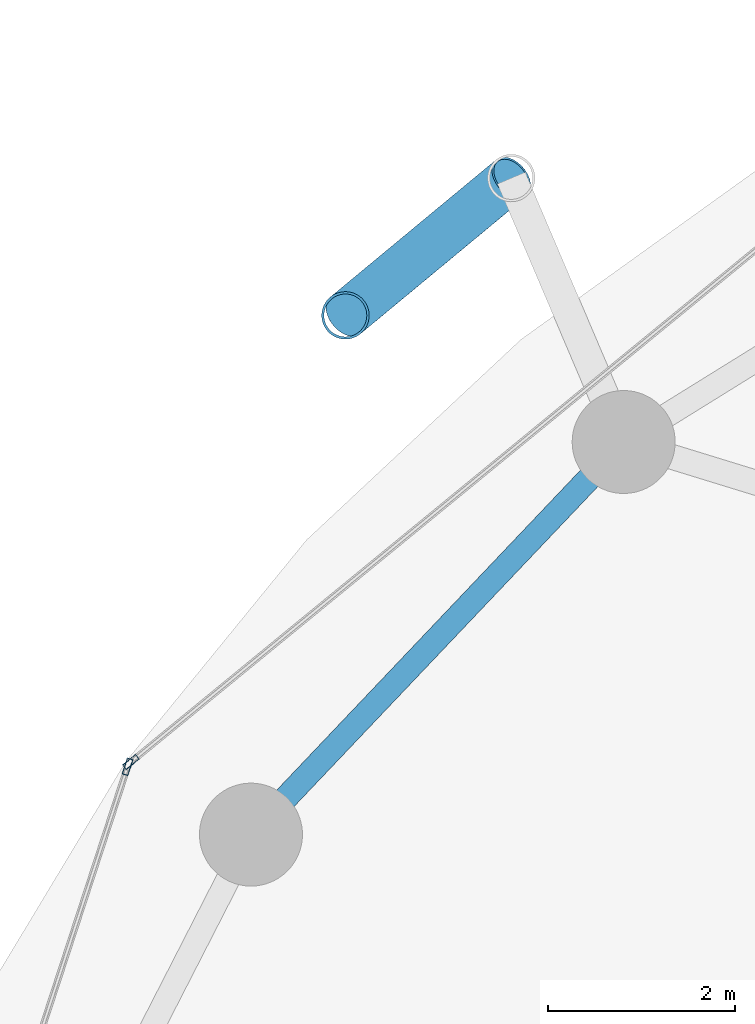
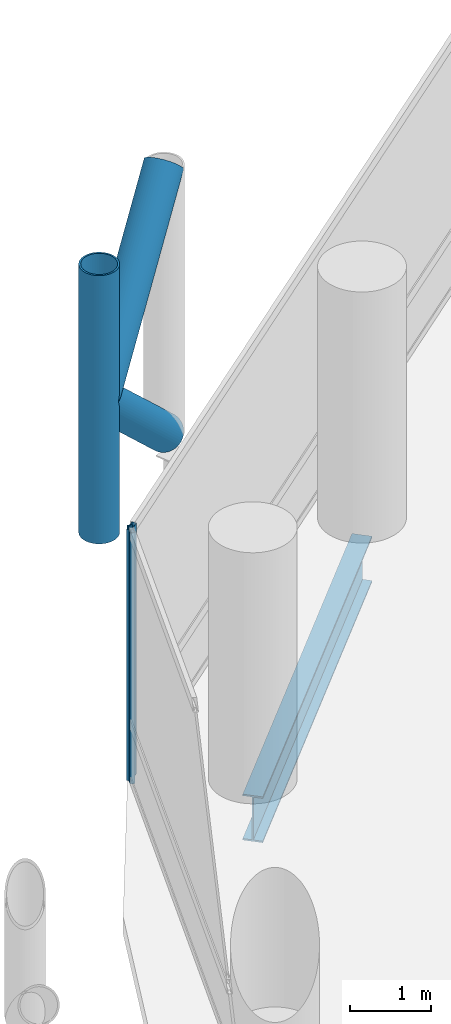
# One storey, part 13 of 24: 5 members, 1 beam, 2 elements without a shape of their own.
"""IFC4 building model written with IfcOpenShell, lengths in metres."""

import ifcopenshell
import ifcopenshell.guid

model = None  # the IFC model being written
_history = None  # IfcOwnerHistory: only IFC2X3 demands one
_inside = {}  # id of a spatial element -> (the spatial element, [elements in it])
_under = {}  # id of a project, library or spatial element -> (it, [spatial elements below it])
_declared = {}  # id of a project -> (the project, [libraries it declares])
_typed = {}  # id of a type object -> (the type object, [elements of that type])
_made_of = {}  # id of a material, layer set ... -> (it, [elements and type objects made of it])


def new_model(schema):
    """Start an empty IFC model of exactly this schema.

    Asked for "IFC4X3", IfcOpenShell would pick the latest addendum, in which some entities
    have other attributes; the version numbers below select the first issue.
    IFC2X3 requires an IfcOwnerHistory on every rooted entity: one is made here for all.
    """
    global model, _history
    if schema == "IFC4X3":
        model = ifcopenshell.file(schema_version=(4, 3, 0, 0))
    else:
        model = ifcopenshell.file(schema=schema)
    _inside.clear()
    _under.clear()
    _declared.clear()
    _typed.clear()
    _made_of.clear()
    _history = None
    if model.schema == "IFC2X3":
        org = make("IfcOrganization", Name="unknown")
        user = make(
            "IfcPersonAndOrganization",
            ThePerson=make("IfcPerson", FamilyName="unknown"),
            TheOrganization=org,
        )
        app = make(
            "IfcApplication",
            ApplicationDeveloper=org,
            Version="unknown",
            ApplicationFullName="unknown",
            ApplicationIdentifier="unknown",
        )
        _history = make(
            "IfcOwnerHistory",
            OwningUser=user,
            OwningApplication=app,
            ChangeAction="ADDED",
            CreationDate=0,
        )
    return model


def make(cls, **values):
    """One entity of the class cls with the attributes given. An attribute that is None is left unset."""
    return model.create_entity(
        cls, **{name: value for name, value in values.items() if value is not None}
    )


def rooted(cls, **values):
    """An entity with a GlobalId (a new one), such as an element, a storey or a relation."""
    return make(cls, GlobalId=ifcopenshell.guid.new(), OwnerHistory=_history, **values)


def si_unit(unit_type, name, prefix=None):
    """IfcSIUnit, for example si_unit("LENGTHUNIT", "METRE", prefix="MILLI")."""
    return make("IfcSIUnit", UnitType=unit_type, Prefix=prefix, Name=name)


def assignment(units):
    """IfcUnitAssignment: the units of a project."""
    return None if units is None else make("IfcUnitAssignment", Units=units)


def point(xyz):
    """IfcCartesianPoint."""
    return None if xyz is None else make("IfcCartesianPoint", Coordinates=xyz)


def direction(xyz):
    """IfcDirection."""
    return None if xyz is None else make("IfcDirection", DirectionRatios=xyz)


def frame(location, z_axis=None, x_axis=None):
    """IfcAxis2Placement3D, a coordinate frame: its origin and axes. An axis left out is left unset."""
    return make(
        "IfcAxis2Placement3D",
        Location=point(location),
        Axis=direction(z_axis),
        RefDirection=direction(x_axis),
    )


def frame_2d(location, x_axis=None):
    """IfcAxis2Placement2D, a coordinate frame in the plane: its origin and x axis."""
    return make(
        "IfcAxis2Placement2D", Location=point(location), RefDirection=direction(x_axis)
    )


def origin():
    """The frame at (0, 0, 0) with its axes left unset."""
    return frame((0.0, 0.0, 0.0))


def origin_2d():
    """The frame at (0, 0) in the plane with its x axis left unset."""
    return frame_2d((0.0, 0.0))


def place(relative_to, where):
    """IfcLocalPlacement: puts the frame where relative to a parent placement (None: the world)."""
    return make(
        "IfcLocalPlacement", PlacementRelTo=relative_to, RelativePlacement=where
    )


def context(
    kind, dimensions, precision=None, world=None, true_north=None, identifier=None
):
    """IfcGeometricRepresentationContext, for example the 3D "Model" context."""
    return make(
        "IfcGeometricRepresentationContext",
        ContextIdentifier=identifier,
        ContextType=kind,
        CoordinateSpaceDimension=dimensions,
        Precision=precision,
        WorldCoordinateSystem=world,
        TrueNorth=true_north,
    )


def subcontext(parent, identifier, kind, view, scale=None):
    """IfcGeometricRepresentationSubContext, for example "Body" below "Model"."""
    return make(
        "IfcGeometricRepresentationSubContext",
        ContextIdentifier=identifier,
        ContextType=kind,
        ParentContext=parent,
        TargetScale=scale,
        TargetView=view,
    )


def project(units=None, contexts=None):
    """IfcProject with its units and contexts."""
    return rooted(
        "IfcProject",
        Name="project",
        RepresentationContexts=contexts,
        UnitsInContext=assignment(units),
    )


def spatial(cls, under=None, at=None, **own):
    """A site, building, storey or space (cls), placed at a placement, below another one or the project."""
    s = rooted(cls, ObjectPlacement=at, **own)
    if under is not None:
        _under.setdefault(under.id(), (under, []))[1].append(s)
    return s


def profile(cls, at=None, kind="AREA", **sizes):
    """A parametric profile (cls). Its sizes go by their IFC names, for example OverallWidth=200.0."""
    return make(cls, ProfileType=kind, Position=at, **sizes)


def hollow_rectangle(**sizes):
    """IfcRectangleHollowProfileDef."""
    return profile("IfcRectangleHollowProfileDef", **sizes)


def hollow_circle(**sizes):
    """IfcCircleHollowProfileDef."""
    return profile("IfcCircleHollowProfileDef", **sizes)


def i_section(**sizes):
    """IfcIShapeProfileDef."""
    return profile("IfcIShapeProfileDef", **sizes)


def extrude(swept, where, along, depth):
    """IfcExtrudedAreaSolid: the profile swept, set in the frame where, extruded along a direction by depth."""
    return make(
        "IfcExtrudedAreaSolid",
        SweptArea=swept,
        Position=where,
        ExtrudedDirection=direction(along),
        Depth=depth,
    )


def shape(context_of_items, identifier, shape_type, items):
    """IfcShapeRepresentation: the items that make up one representation, for example the "Body"."""
    return make(
        "IfcShapeRepresentation",
        ContextOfItems=context_of_items,
        RepresentationIdentifier=identifier,
        RepresentationType=shape_type,
        Items=items,
    )


def material(Name=None, Category=None):
    """IfcMaterial."""
    return make("IfcMaterial", Name=Name, Category=Category)


def layer(
    of_material, thickness, ventilated=None, Name=None, Category=None, Priority=None
):
    """IfcMaterialLayer: one layer of a wall or slab, of a material (None: an air gap)."""
    return make(
        "IfcMaterialLayer",
        Material=of_material,
        LayerThickness=thickness,
        IsVentilated=ventilated,
        Name=Name,
        Category=Category,
        Priority=Priority,
    )


def layer_set(layers, Name=None):
    """IfcMaterialLayerSet."""
    return make("IfcMaterialLayerSet", MaterialLayers=layers, LayerSetName=Name)


def material_profile(
    of_material, cross_section, Name=None, Category=None, Priority=None
):
    """IfcMaterialProfile: a cross section and its material."""
    return make(
        "IfcMaterialProfile",
        Name=Name,
        Material=of_material,
        Profile=cross_section,
        Priority=Priority,
        Category=Category,
    )


def profile_set(profiles, Name=None, composite=None):
    """IfcMaterialProfileSet."""
    return make(
        "IfcMaterialProfileSet",
        Name=Name,
        MaterialProfiles=profiles,
        CompositeProfile=composite,
    )


def made_of(thing, what):
    """Note that an element or type object is made of a material, layer set ...; save() writes the relation."""
    if what is not None:
        _made_of.setdefault(what.id(), (what, []))[1].append(thing)
    return thing


def type_object(cls, material=None, **own):
    """A type object (cls), such as IfcWallType, which elements share."""
    return made_of(rooted(cls, **own), material)


def element(
    cls,
    number,
    at=None,
    inside=None,
    cuts=None,
    type_object=None,
    material=None,
    context=None,
    identifier="Body",
    shape_type=None,
    held_by="IfcProductDefinitionShape",
    body=None,
    shapes=None,
    **own,
):
    """One element of the class cls, such as IfcWall. Its Tag is "e" and its number.

    at: its placement. inside: the storey or other place that contains it. cuts: it is an
    opening in that element (IfcRelVoidsElement). A single representation is given by context,
    identifier, shape_type and body (its items); several are given by shapes. held_by: the class
    of the entity that holds the representations. save() writes the other relations.
    """
    e = rooted(cls, Tag="e%d" % number, ObjectPlacement=at, **own)
    if body is not None:
        shapes = [shape(context, identifier, shape_type, body)]
    if shapes is not None:
        e.Representation = make(held_by, Representations=shapes)
    if inside is not None:
        _inside.setdefault(inside.id(), (inside, []))[1].append(e)
    if cuts is not None:
        rooted(
            "IfcRelVoidsElement", RelatingBuildingElement=cuts, RelatedOpeningElement=e
        )
    if type_object is not None:
        _typed.setdefault(type_object.id(), (type_object, []))[1].append(e)
    return made_of(e, material)


def aggregate(whole, parts):
    """IfcRelAggregates: a whole, such as a stair, and the parts it consists of."""
    return rooted("IfcRelAggregates", RelatingObject=whole, RelatedObjects=parts)


def save(model, path):
    """Write the relations noted so far, then the file.

    IfcRelAggregates (storeys below a building ...), IfcRelContainedInSpatialStructure (elements
    in a storey), IfcRelDefinesByType, IfcRelAssociatesMaterial and IfcRelDeclares: one each for
    every whole, place, type object, material and project.
    """
    for whole, parts in _under.values():
        aggregate(whole, parts)
    for where, things in _inside.values():
        rooted(
            "IfcRelContainedInSpatialStructure",
            RelatedElements=things,
            RelatingStructure=where,
        )
    for kind, things in _typed.values():
        rooted("IfcRelDefinesByType", RelatedObjects=things, RelatingType=kind)
    for what, things in _made_of.values():
        rooted("IfcRelAssociatesMaterial", RelatedObjects=things, RelatingMaterial=what)
    for by, libraries in _declared.values():
        rooted("IfcRelDeclares", RelatingContext=by, RelatedDefinitions=libraries)
    model.write(path)


model = new_model("IFC4")

# Units and contexts
model_context = context("Model", 3, precision=1e-05, world=origin(), true_north=direction((0.0, 1.0)))
body_context = subcontext(model_context, "Body", "Model", "MODEL_VIEW")
ifc_project = project(units=[si_unit("LENGTHUNIT", "METRE"), si_unit("AREAUNIT", "SQUARE_METRE"), si_unit("VOLUMEUNIT", "CUBIC_METRE"), si_unit("PLANEANGLEUNIT", "RADIAN"), si_unit("MASSUNIT", "GRAM", prefix="KILO")], contexts=[model_context])

# Site, building, storey
site_placement = place(None, origin())
site = spatial("IfcSite", under=ifc_project, at=site_placement, CompositionType="ELEMENT")
building_placement = place(site_placement, origin())
building = spatial("IfcBuilding", under=site, at=building_placement, Name="Nuhasar Tower", CompositionType="ELEMENT")
storey_placement = place(building_placement, frame((0.0, 0.0, 37.199951171875)))
storey = spatial("IfcBuildingStorey", under=building, at=storey_placement, Name="L08", CompositionType="ELEMENT", Elevation=37.199951171875)

# Beam
ifc_material_1 = material(Name="Steel S355", Category="steel")
ifc_material_profile_1 = material_profile(ifc_material_1, i_section(OverallWidth=0.256103515625, OverallDepth=0.693115234375, WebThickness=0.014404296875, FlangeThickness=0.023681640625, at=origin_2d()), Name="W27X114")
ifc_profile_set_1 = profile_set([ifc_material_profile_1], Name="Steel S355")
beam_type = type_object("IfcBeamType", Name="BM-RING-W27X114", PredefinedType="SPANDREL", material=ifc_profile_set_1)
beam_placement = place(storey_placement, frame((21.287109375, 41.118896484375, -0.60693359375), z_axis=(-0.688480893507, -0.725254478976, 0.0), x_axis=(0.725254478976, -0.688480893507, 0.0)))
element("IfcBeam", 1, at=beam_placement, inside=storey, type_object=beam_type, Name="L08 Perimeter Ring Spandrel 10", PredefinedType="SPANDREL", context=body_context, shape_type="SweptSolid", body=[
    extrude(i_section(OverallWidth=0.256103515625, OverallDepth=0.693115234375, WebThickness=0.014404296875, FlangeThickness=0.023681640625, at=origin_2d()), origin(), (0.0, 0.0, 1.0), 5.782470703125),
])

# Curtain wall, member
ifc_material_2 = material(Name="Aluminium 6063-T6", Category="aluminium")
ifc_layer = layer(ifc_material_2, 0.199951171875)
ifc_layer_set = layer_set([ifc_layer], Name="Aluminium 6063-T6")
curtain_wall_type = type_object("IfcCurtainWallType", Name="CW-Z1-OFF", PredefinedType="NOTDEFINED", material=ifc_layer_set)
curtain_wall_1_placement = place(storey_placement, origin())
curtain_wall_1 = element("IfcCurtainWall", 2, at=curtain_wall_1_placement, inside=storey, type_object=curtain_wall_type, Name="L08 Unitised Curtain Wall 05", PredefinedType="NOTDEFINED")
ifc_material_profile_2 = material_profile(ifc_material_2, hollow_rectangle(XDim=0.06494140625, YDim=0.179931640625, WallThickness=0.0048828125, at=origin_2d()), Name="CWM-2")
ifc_profile_set_2 = profile_set([ifc_material_profile_2], Name="Aluminium 6063-T6")
member_type_1 = type_object("IfcMemberType", Name="CW-MUL-S2", PredefinedType="MULLION", material=ifc_profile_set_2)
member_1_placement = place(storey_placement, frame((16.023193359375, 37.70068359375, 0.0), z_axis=(0.0, 0.0, 1.0), x_axis=(0.633744593376, -0.773542364946, 0.0)))
member_1 = element("IfcMember", 3, at=member_1_placement, type_object=member_type_1, Name="CW-Z1 mullion 2", PredefinedType="MULLION", context=body_context, shape_type="SweptSolid", body=[
    extrude(hollow_rectangle(XDim=0.06494140625, YDim=0.179931640625, WallThickness=0.0048828125, at=origin_2d()), origin(), (0.0, 0.0, 1.0), 3.7900390625),
])
aggregate(curtain_wall_1, [member_1])

curtain_wall_2_placement = place(storey_placement, origin())
curtain_wall_2 = element("IfcCurtainWall", 4, at=curtain_wall_2_placement, inside=storey, type_object=curtain_wall_type, Name="L08 Unitised Curtain Wall 06", PredefinedType="NOTDEFINED")
member_2_placement = place(storey_placement, frame((15.98779296875, 37.649169921875, 0.0), z_axis=(0.0, 0.0, 1.0), x_axis=(0.950467534571, -0.310823849997, 0.0)))
member_2 = element("IfcMember", 5, at=member_2_placement, type_object=member_type_1, Name="CW-Z1 mullion 1", PredefinedType="MULLION", context=body_context, shape_type="SweptSolid", body=[
    extrude(hollow_rectangle(XDim=0.06494140625, YDim=0.179931640625, WallThickness=0.0048828125, at=origin_2d()), origin(), (0.0, 0.0, 1.0), 3.7900390625),
])
aggregate(curtain_wall_2, [member_2])

# Members
ifc_material_3 = material(Name="Steel S460", Category="steel")
ifc_material_profile_3 = material_profile(ifc_material_3, hollow_circle(Radius=0.25390625, WallThickness=0.025390625, at=origin_2d()), Name="HSS508X25.4")
ifc_profile_set_3 = profile_set([ifc_material_profile_3], Name="Steel S460")
member_type_2 = type_object("IfcMemberType", Name="EXO-BRONZE-508", PredefinedType="BRACE", material=ifc_profile_set_3)
member_3_placement = place(storey_placement, frame((18.31494140625, 42.470947265625, 0.0), z_axis=(0.0, 0.0, 1.0), x_axis=(1.0, 0.0, 0.0)))
element("IfcMember", 6, at=member_3_placement, inside=storey, type_object=member_type_2, Name="L08 Exoskeleton Chord Column EC-05B", PredefinedType="BRACE", context=body_context, shape_type="SweptSolid", body=[
    extrude(hollow_circle(Radius=0.25390625, WallThickness=0.025390625, at=origin_2d()), origin(), (0.0, 0.0, 1.0), 4.050048828125),
])
member_4_placement = place(storey_placement, frame((20.0869140625, 43.93896484375, 0.0), z_axis=(-0.578071194894, -0.478911834514, 0.660664172175), x_axis=(0.637969333506, -0.770061769929, 0.0)))
element("IfcMember", 7, at=member_4_placement, inside=storey, type_object=member_type_2, Name="L08 Bronze Diagrid Brace W1-05", PredefinedType="BRACE", context=body_context, shape_type="SweptSolid", body=[
    extrude(hollow_circle(Radius=0.25390625, WallThickness=0.025390625, at=origin_2d()), origin(), (0.0, 0.0, 1.0), 3.0654296875),
])
member_5_placement = place(storey_placement, frame((18.31494140625, 42.470947265625, 2.025146484375), z_axis=(0.578101613167, 0.478937034992, 0.660619286251), x_axis=(-0.637969333506, 0.770061769929, 0.0)))
element("IfcMember", 8, at=member_5_placement, inside=storey, type_object=member_type_2, Name="L08 Bronze Diagrid Brace W2-05", PredefinedType="BRACE", context=body_context, shape_type="SweptSolid", body=[
    extrude(hollow_circle(Radius=0.25390625, WallThickness=0.025390625, at=origin_2d()), origin(), (0.0, 0.0, 1.0), 3.065185546875),
])

save(model, "model.ifc")
